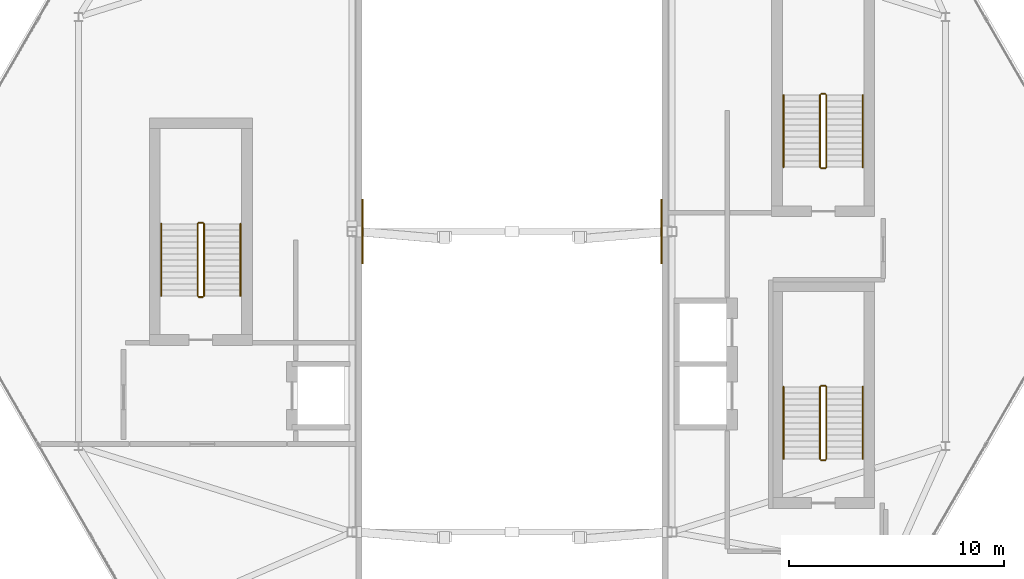
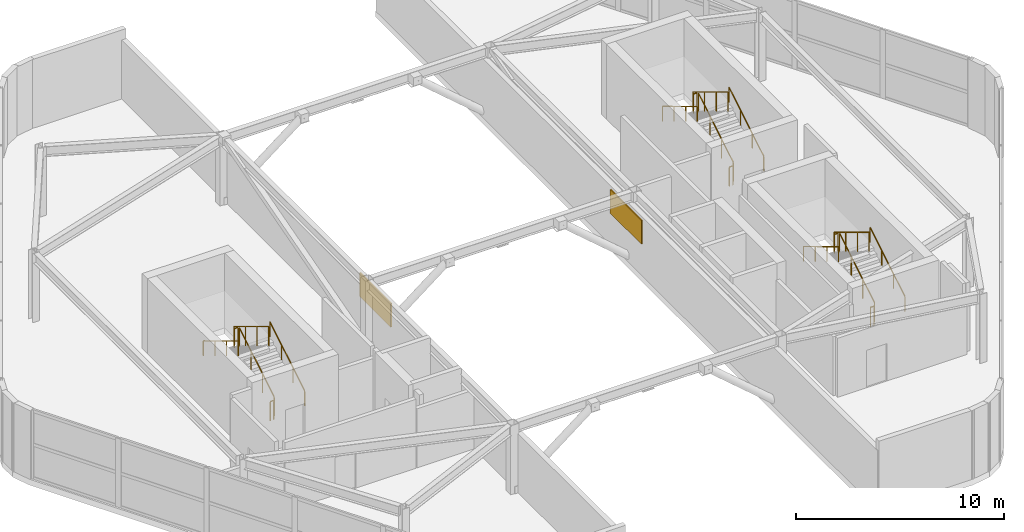
# One storey, part 16 of 16: 18 railings, 2 shading devices.
"""IFC4 building model written with IfcOpenShell, lengths in metres."""

from ifc_helpers import new_model, si_unit, direction, frame, origin, origin_2d, place, context, subcontext, project, spatial, rectangle, extrude, material, layer, layer_set, type_object, element, save


model = new_model("IFC4")

# Units and contexts
model_context = context("Model", 3, precision=1e-05, world=origin(), true_north=direction((0.0, 1.0)))
body_context = subcontext(model_context, "Body", "Model", "MODEL_VIEW")
ifc_project = project(units=[si_unit("LENGTHUNIT", "METRE"), si_unit("AREAUNIT", "SQUARE_METRE"), si_unit("VOLUMEUNIT", "CUBIC_METRE"), si_unit("PLANEANGLEUNIT", "RADIAN"), si_unit("MASSUNIT", "GRAM", prefix="KILO")], contexts=[model_context])

# Site, building, storey
site_placement = place(None, origin())
site = spatial("IfcSite", under=ifc_project, at=site_placement, CompositionType="ELEMENT")
building_placement = place(site_placement, origin())
building = spatial("IfcBuilding", under=site, at=building_placement, Name="Zuhravey Tower", CompositionType="ELEMENT")
storey_placement = place(building_placement, frame((0.0, 0.0, 365.800048828125)))
storey = spatial("IfcBuildingStorey", under=building, at=storey_placement, Name="L93", CompositionType="ELEMENT", Elevation=365.800048828125)

# Shading devices
ifc_material_1 = material(Name="Bronze-anodised perforated aluminium", Category="aluminium")
ifc_layer = layer(ifc_material_1, 0.06005859375)
ifc_layer_set = layer_set([ifc_layer], Name="Bronze-anodised perforated aluminium")
shading_device_type = type_object("IfcShadingDeviceType", Name="Girih Mashrabiya Solar Screen", PredefinedType="USERDEFINED", material=ifc_layer_set)
for number, where, z_axis, x_axis, name in (
    (1, (29.030029296875, 32.0, 1.89990234375), (0.0, 0.0, 1.0), (0.0, 1.0, 0.0), "L93 WEST Wind-Portal Girih Screen SCR1"),
    (2, (42.969970703125, 32.0, 1.89990234375), (0.0, 0.0, 1.0), (0.0, 1.0, 0.0), "L93 EAST Wind-Portal Girih Screen SCR1"),
):
    element("IfcShadingDevice", number, at=place(storey_placement, frame(where, z_axis=z_axis, x_axis=x_axis)), inside=storey, type_object=shading_device_type, Name=name, ObjectType="SCREEN", PredefinedType="USERDEFINED", context=body_context, shape_type="SweptSolid", body=[
        extrude(rectangle(XDim=3.0, YDim=0.06005859375, at=origin_2d()), origin(), (0.0, 0.0, 1.0), 1.39990234375),
    ])

# Railings
ifc_material_2 = material(Name="Brushed stainless steel", Category="steel")
railing_type_1 = type_object("IfcRailingType", Name="Stair Wall Handrail 900", PredefinedType="HANDRAIL", material=ifc_material_2)
railing_1_placement = place(storey_placement, frame((23.35009765625, 29.0, 0.169189453125)))
element("IfcRailing", 3, at=railing_1_placement, inside=storey, type_object=railing_type_1, Name="L93 CST1 stair handrail 1", PredefinedType="HANDRAIL", context=body_context, shape_type="SweptSolid", body=[
    extrude(rectangle(XDim=0.048095703125, YDim=0.048095703125, at=origin_2d()), frame((0.0, 0.001708984375, 0.876953125), z_axis=(0.0, 0.855836976705, 0.517245656632), x_axis=(-1.0, 0.0, 0.0)), (0.0, 0.0, 1.0), 3.922119140625),
    extrude(rectangle(XDim=0.0419921875, YDim=0.0419921875, at=origin_2d()), origin(), (0.0, 0.0, 1.0), 0.849853515625),
    extrude(rectangle(XDim=0.0419921875, YDim=0.0419921875, at=origin_2d()), frame((0.0, 1.1201171875, 0.677001953125)), (0.0, 0.0, 1.0), 0.849853515625),
    extrude(rectangle(XDim=0.0419921875, YDim=0.0419921875, at=origin_2d()), frame((0.0, 2.239990234375, 1.353759765625)), (0.0, 0.0, 1.0), 0.849853515625),
    extrude(rectangle(XDim=0.0419921875, YDim=0.0419921875, at=origin_2d()), frame((0.0, 3.360107421875, 2.03076171875)), (0.0, 0.0, 1.0), 0.849853515625),
])
railing_2_placement = place(storey_placement, frame((19.64990234375, 32.360107421875, 2.369140625)))
element("IfcRailing", 4, at=railing_2_placement, inside=storey, type_object=railing_type_1, Name="L93 CST1 stair handrail 2", PredefinedType="HANDRAIL", context=body_context, shape_type="SweptSolid", body=[
    extrude(rectangle(XDim=0.048095703125, YDim=0.048095703125, at=origin_2d()), frame((0.0, -0.001708984375, 0.876953125), z_axis=(0.0, -0.855836976705, 0.517245656632), x_axis=(1.0, 0.0, 0.0)), (0.0, 0.0, 1.0), 3.922119140625),
    extrude(rectangle(XDim=0.0419921875, YDim=0.0419921875, at=origin_2d()), origin(), (0.0, 0.0, 1.0), 0.849853515625),
    extrude(rectangle(XDim=0.0419921875, YDim=0.0419921875, at=origin_2d()), frame((0.0, -1.1201171875, 0.677001953125)), (0.0, 0.0, 1.0), 0.849853515625),
    extrude(rectangle(XDim=0.0419921875, YDim=0.0419921875, at=origin_2d()), frame((0.0, -2.239990234375, 1.353759765625)), (0.0, 0.0, 1.0), 0.849853515625),
    extrude(rectangle(XDim=0.0419921875, YDim=0.0419921875, at=origin_2d()), frame((0.0, -3.360107421875, 2.03076171875)), (0.0, 0.0, 1.0), 0.849853515625),
])
railing_3_placement = place(storey_placement, frame((52.35009765625, 21.39990234375, 0.169189453125)))
element("IfcRailing", 5, at=railing_3_placement, inside=storey, type_object=railing_type_1, Name="L93 CST2 stair handrail 1", PredefinedType="HANDRAIL", context=body_context, shape_type="SweptSolid", body=[
    extrude(rectangle(XDim=0.048095703125, YDim=0.048095703125, at=origin_2d()), frame((0.0, 0.001708984375, 0.876953125), z_axis=(0.0, 0.855836976705, 0.517245656632), x_axis=(-1.0, 0.0, 0.0)), (0.0, 0.0, 1.0), 3.922119140625),
    extrude(rectangle(XDim=0.0419921875, YDim=0.0419921875, at=origin_2d()), origin(), (0.0, 0.0, 1.0), 0.849853515625),
    extrude(rectangle(XDim=0.0419921875, YDim=0.0419921875, at=origin_2d()), frame((0.0, 1.1201171875, 0.677001953125)), (0.0, 0.0, 1.0), 0.849853515625),
    extrude(rectangle(XDim=0.0419921875, YDim=0.0419921875, at=origin_2d()), frame((0.0, 2.239990234375, 1.353759765625)), (0.0, 0.0, 1.0), 0.849853515625),
    extrude(rectangle(XDim=0.0419921875, YDim=0.0419921875, at=origin_2d()), frame((0.0, 3.360107421875, 2.03076171875)), (0.0, 0.0, 1.0), 0.849853515625),
])
railing_4_placement = place(storey_placement, frame((48.64990234375, 24.760009765625, 2.369140625)))
element("IfcRailing", 6, at=railing_4_placement, inside=storey, type_object=railing_type_1, Name="L93 CST2 stair handrail 2", PredefinedType="HANDRAIL", context=body_context, shape_type="SweptSolid", body=[
    extrude(rectangle(XDim=0.048095703125, YDim=0.048095703125, at=origin_2d()), frame((0.0, -0.001708984375, 0.876953125), z_axis=(0.0, -0.855836976705, 0.517245656632), x_axis=(1.0, 0.0, 0.0)), (0.0, 0.0, 1.0), 3.922119140625),
    extrude(rectangle(XDim=0.0419921875, YDim=0.0419921875, at=origin_2d()), origin(), (0.0, 0.0, 1.0), 0.849853515625),
    extrude(rectangle(XDim=0.0419921875, YDim=0.0419921875, at=origin_2d()), frame((0.0, -1.1201171875, 0.677001953125)), (0.0, 0.0, 1.0), 0.849853515625),
    extrude(rectangle(XDim=0.0419921875, YDim=0.0419921875, at=origin_2d()), frame((0.0, -2.239990234375, 1.353759765625)), (0.0, 0.0, 1.0), 0.849853515625),
    extrude(rectangle(XDim=0.0419921875, YDim=0.0419921875, at=origin_2d()), frame((0.0, -3.360107421875, 2.03076171875)), (0.0, 0.0, 1.0), 0.849853515625),
])
railing_5_placement = place(storey_placement, frame((52.35009765625, 35.0, 0.169189453125)))
element("IfcRailing", 7, at=railing_5_placement, inside=storey, type_object=railing_type_1, Name="L93 CST3 stair handrail 1", PredefinedType="HANDRAIL", context=body_context, shape_type="SweptSolid", body=[
    extrude(rectangle(XDim=0.048095703125, YDim=0.048095703125, at=origin_2d()), frame((0.0, 0.001708984375, 0.876953125), z_axis=(0.0, 0.855836976705, 0.517245656632), x_axis=(-1.0, 0.0, 0.0)), (0.0, 0.0, 1.0), 3.922119140625),
    extrude(rectangle(XDim=0.0419921875, YDim=0.0419921875, at=origin_2d()), origin(), (0.0, 0.0, 1.0), 0.849853515625),
    extrude(rectangle(XDim=0.0419921875, YDim=0.0419921875, at=origin_2d()), frame((0.0, 1.1201171875, 0.677001953125)), (0.0, 0.0, 1.0), 0.849853515625),
    extrude(rectangle(XDim=0.0419921875, YDim=0.0419921875, at=origin_2d()), frame((0.0, 2.239990234375, 1.353759765625)), (0.0, 0.0, 1.0), 0.849853515625),
    extrude(rectangle(XDim=0.0419921875, YDim=0.0419921875, at=origin_2d()), frame((0.0, 3.360107421875, 2.03076171875)), (0.0, 0.0, 1.0), 0.849853515625),
])
railing_6_placement = place(storey_placement, frame((48.64990234375, 38.360107421875, 2.369140625)))
element("IfcRailing", 8, at=railing_6_placement, inside=storey, type_object=railing_type_1, Name="L93 CST3 stair handrail 2", PredefinedType="HANDRAIL", context=body_context, shape_type="SweptSolid", body=[
    extrude(rectangle(XDim=0.048095703125, YDim=0.048095703125, at=origin_2d()), frame((0.0, -0.001708984375, 0.876953125), z_axis=(0.0, -0.855836976705, 0.517245656632), x_axis=(1.0, 0.0, 0.0)), (0.0, 0.0, 1.0), 3.922119140625),
    extrude(rectangle(XDim=0.0419921875, YDim=0.0419921875, at=origin_2d()), origin(), (0.0, 0.0, 1.0), 0.849853515625),
    extrude(rectangle(XDim=0.0419921875, YDim=0.0419921875, at=origin_2d()), frame((0.0, -1.1201171875, 0.677001953125)), (0.0, 0.0, 1.0), 0.849853515625),
    extrude(rectangle(XDim=0.0419921875, YDim=0.0419921875, at=origin_2d()), frame((0.0, -2.239990234375, 1.353759765625)), (0.0, 0.0, 1.0), 0.849853515625),
    extrude(rectangle(XDim=0.0419921875, YDim=0.0419921875, at=origin_2d()), frame((0.0, -3.360107421875, 2.03076171875)), (0.0, 0.0, 1.0), 0.849853515625),
])
ifc_material_3 = material(Name="Painted tubular steel", Category="steel")
railing_type_2 = type_object("IfcRailingType", Name="Stair Well Guardrail 1150", PredefinedType="GUARDRAIL", material=ifc_material_3)
railing_7_placement = place(storey_placement, frame((21.64990234375, 29.0, 0.169189453125)))
element("IfcRailing", 9, at=railing_7_placement, inside=storey, type_object=railing_type_2, Name="L93 CST1 stair guard 1", PredefinedType="GUARDRAIL", context=body_context, shape_type="SweptSolid", body=[
    extrude(rectangle(XDim=0.048095703125, YDim=0.048095703125, at=origin_2d()), frame((0.0, 0.001708984375, 1.126953125), z_axis=(0.0, 0.855836976705, 0.517245656632), x_axis=(-1.0, 0.0, 0.0)), (0.0, 0.0, 1.0), 3.922119140625),
    extrude(rectangle(XDim=0.0419921875, YDim=0.0419921875, at=origin_2d()), origin(), (0.0, 0.0, 1.0), 1.099853515625),
    extrude(rectangle(XDim=0.0419921875, YDim=0.0419921875, at=origin_2d()), frame((0.0, 1.1201171875, 0.677001953125)), (0.0, 0.0, 1.0), 1.099853515625),
    extrude(rectangle(XDim=0.0419921875, YDim=0.0419921875, at=origin_2d()), frame((0.0, 2.239990234375, 1.353759765625)), (0.0, 0.0, 1.0), 1.099853515625),
    extrude(rectangle(XDim=0.0419921875, YDim=0.0419921875, at=origin_2d()), frame((0.0, 3.360107421875, 2.03076171875)), (0.0, 0.0, 1.0), 1.099853515625),
])
railing_8_placement = place(storey_placement, frame((21.60009765625, 32.409912109375, 2.199951171875)))
element("IfcRailing", 10, at=railing_8_placement, inside=storey, type_object=railing_type_2, Name="L93 CST1 stair guard 2", PredefinedType="GUARDRAIL", context=body_context, shape_type="SweptSolid", body=[
    extrude(rectangle(XDim=0.048095703125, YDim=0.048095703125, at=origin_2d()), frame((-0.001953125, 0.0, 1.1259765625), z_axis=(-1.0, 0.0, 0.0), x_axis=(0.0, -1.0, 0.0)), (0.0, 0.0, 1.0), 0.1962890625),
    extrude(rectangle(XDim=0.0419921875, YDim=0.0419921875, at=origin_2d()), origin(), (0.0, 0.0, 1.0), 1.099853515625),
    extrude(rectangle(XDim=0.0419921875, YDim=0.0419921875, at=origin_2d()), frame((-0.2001953125, 0.0, 0.0)), (0.0, 0.0, 1.0), 1.099853515625),
])
railing_9_placement = place(storey_placement, frame((21.35009765625, 32.360107421875, 2.369140625)))
element("IfcRailing", 11, at=railing_9_placement, inside=storey, type_object=railing_type_2, Name="L93 CST1 stair guard 3", PredefinedType="GUARDRAIL", context=body_context, shape_type="SweptSolid", body=[
    extrude(rectangle(XDim=0.048095703125, YDim=0.048095703125, at=origin_2d()), frame((0.0, -0.001708984375, 1.126953125), z_axis=(0.0, -0.855836976705, 0.517245656632), x_axis=(1.0, 0.0, 0.0)), (0.0, 0.0, 1.0), 3.922119140625),
    extrude(rectangle(XDim=0.0419921875, YDim=0.0419921875, at=origin_2d()), origin(), (0.0, 0.0, 1.0), 1.099853515625),
    extrude(rectangle(XDim=0.0419921875, YDim=0.0419921875, at=origin_2d()), frame((0.0, -1.1201171875, 0.677001953125)), (0.0, 0.0, 1.0), 1.099853515625),
    extrude(rectangle(XDim=0.0419921875, YDim=0.0419921875, at=origin_2d()), frame((0.0, -2.239990234375, 1.353759765625)), (0.0, 0.0, 1.0), 1.099853515625),
    extrude(rectangle(XDim=0.0419921875, YDim=0.0419921875, at=origin_2d()), frame((0.0, -3.360107421875, 2.03076171875)), (0.0, 0.0, 1.0), 1.099853515625),
])
railing_10_placement = place(storey_placement, frame((21.60009765625, 28.949951171875, 0.0)))
element("IfcRailing", 12, at=railing_10_placement, inside=storey, type_object=railing_type_2, Name="L93 CST1 stair guard 4", PredefinedType="GUARDRAIL", context=body_context, shape_type="SweptSolid", body=[
    extrude(rectangle(XDim=0.048095703125, YDim=0.048095703125, at=origin_2d()), frame((-0.001953125, 0.0, 1.1259765625), z_axis=(-1.0, 0.0, 0.0), x_axis=(0.0, -1.0, 0.0)), (0.0, 0.0, 1.0), 0.1962890625),
    extrude(rectangle(XDim=0.0419921875, YDim=0.0419921875, at=origin_2d()), origin(), (0.0, 0.0, 1.0), 1.099853515625),
    extrude(rectangle(XDim=0.0419921875, YDim=0.0419921875, at=origin_2d()), frame((-0.2001953125, 0.0, 0.0)), (0.0, 0.0, 1.0), 1.099853515625),
])
railing_11_placement = place(storey_placement, frame((50.64990234375, 21.39990234375, 0.169189453125)))
element("IfcRailing", 13, at=railing_11_placement, inside=storey, type_object=railing_type_2, Name="L93 CST2 stair guard 1", PredefinedType="GUARDRAIL", context=body_context, shape_type="SweptSolid", body=[
    extrude(rectangle(XDim=0.048095703125, YDim=0.048095703125, at=origin_2d()), frame((0.0, 0.001708984375, 1.126953125), z_axis=(0.0, 0.855836976705, 0.517245656632), x_axis=(-1.0, 0.0, 0.0)), (0.0, 0.0, 1.0), 3.922119140625),
    extrude(rectangle(XDim=0.0419921875, YDim=0.0419921875, at=origin_2d()), origin(), (0.0, 0.0, 1.0), 1.099853515625),
    extrude(rectangle(XDim=0.0419921875, YDim=0.0419921875, at=origin_2d()), frame((0.0, 1.1201171875, 0.677001953125)), (0.0, 0.0, 1.0), 1.099853515625),
    extrude(rectangle(XDim=0.0419921875, YDim=0.0419921875, at=origin_2d()), frame((0.0, 2.239990234375, 1.353759765625)), (0.0, 0.0, 1.0), 1.099853515625),
    extrude(rectangle(XDim=0.0419921875, YDim=0.0419921875, at=origin_2d()), frame((0.0, 3.360107421875, 2.03076171875)), (0.0, 0.0, 1.0), 1.099853515625),
])
railing_12_placement = place(storey_placement, frame((50.60009765625, 24.81005859375, 2.199951171875)))
element("IfcRailing", 14, at=railing_12_placement, inside=storey, type_object=railing_type_2, Name="L93 CST2 stair guard 2", PredefinedType="GUARDRAIL", context=body_context, shape_type="SweptSolid", body=[
    extrude(rectangle(XDim=0.048095703125, YDim=0.048095703125, at=origin_2d()), frame((-0.001953125, 0.0, 1.1259765625), z_axis=(-1.0, 0.0, 0.0), x_axis=(0.0, -1.0, 0.0)), (0.0, 0.0, 1.0), 0.1962890625),
    extrude(rectangle(XDim=0.0419921875, YDim=0.0419921875, at=origin_2d()), origin(), (0.0, 0.0, 1.0), 1.099853515625),
    extrude(rectangle(XDim=0.0419921875, YDim=0.0419921875, at=origin_2d()), frame((-0.2001953125, 0.0, 0.0)), (0.0, 0.0, 1.0), 1.099853515625),
])
railing_13_placement = place(storey_placement, frame((50.35009765625, 24.760009765625, 2.369140625)))
element("IfcRailing", 15, at=railing_13_placement, inside=storey, type_object=railing_type_2, Name="L93 CST2 stair guard 3", PredefinedType="GUARDRAIL", context=body_context, shape_type="SweptSolid", body=[
    extrude(rectangle(XDim=0.048095703125, YDim=0.048095703125, at=origin_2d()), frame((0.0, -0.001708984375, 1.126953125), z_axis=(0.0, -0.855836976705, 0.517245656632), x_axis=(1.0, 0.0, 0.0)), (0.0, 0.0, 1.0), 3.922119140625),
    extrude(rectangle(XDim=0.0419921875, YDim=0.0419921875, at=origin_2d()), origin(), (0.0, 0.0, 1.0), 1.099853515625),
    extrude(rectangle(XDim=0.0419921875, YDim=0.0419921875, at=origin_2d()), frame((0.0, -1.1201171875, 0.677001953125)), (0.0, 0.0, 1.0), 1.099853515625),
    extrude(rectangle(XDim=0.0419921875, YDim=0.0419921875, at=origin_2d()), frame((0.0, -2.239990234375, 1.353759765625)), (0.0, 0.0, 1.0), 1.099853515625),
    extrude(rectangle(XDim=0.0419921875, YDim=0.0419921875, at=origin_2d()), frame((0.0, -3.360107421875, 2.03076171875)), (0.0, 0.0, 1.0), 1.099853515625),
])
railing_14_placement = place(storey_placement, frame((50.60009765625, 21.35009765625, 0.0)))
element("IfcRailing", 16, at=railing_14_placement, inside=storey, type_object=railing_type_2, Name="L93 CST2 stair guard 4", PredefinedType="GUARDRAIL", context=body_context, shape_type="SweptSolid", body=[
    extrude(rectangle(XDim=0.048095703125, YDim=0.048095703125, at=origin_2d()), frame((-0.001953125, 0.0, 1.1259765625), z_axis=(-1.0, 0.0, 0.0), x_axis=(0.0, -1.0, 0.0)), (0.0, 0.0, 1.0), 0.1962890625),
    extrude(rectangle(XDim=0.0419921875, YDim=0.0419921875, at=origin_2d()), origin(), (0.0, 0.0, 1.0), 1.099853515625),
    extrude(rectangle(XDim=0.0419921875, YDim=0.0419921875, at=origin_2d()), frame((-0.2001953125, 0.0, 0.0)), (0.0, 0.0, 1.0), 1.099853515625),
])
railing_15_placement = place(storey_placement, frame((50.64990234375, 35.0, 0.169189453125)))
element("IfcRailing", 17, at=railing_15_placement, inside=storey, type_object=railing_type_2, Name="L93 CST3 stair guard 1", PredefinedType="GUARDRAIL", context=body_context, shape_type="SweptSolid", body=[
    extrude(rectangle(XDim=0.048095703125, YDim=0.048095703125, at=origin_2d()), frame((0.0, 0.001708984375, 1.126953125), z_axis=(0.0, 0.855836976705, 0.517245656632), x_axis=(-1.0, 0.0, 0.0)), (0.0, 0.0, 1.0), 3.922119140625),
    extrude(rectangle(XDim=0.0419921875, YDim=0.0419921875, at=origin_2d()), origin(), (0.0, 0.0, 1.0), 1.099853515625),
    extrude(rectangle(XDim=0.0419921875, YDim=0.0419921875, at=origin_2d()), frame((0.0, 1.1201171875, 0.677001953125)), (0.0, 0.0, 1.0), 1.099853515625),
    extrude(rectangle(XDim=0.0419921875, YDim=0.0419921875, at=origin_2d()), frame((0.0, 2.239990234375, 1.353759765625)), (0.0, 0.0, 1.0), 1.099853515625),
    extrude(rectangle(XDim=0.0419921875, YDim=0.0419921875, at=origin_2d()), frame((0.0, 3.360107421875, 2.03076171875)), (0.0, 0.0, 1.0), 1.099853515625),
])
railing_16_placement = place(storey_placement, frame((50.60009765625, 38.409912109375, 2.199951171875)))
element("IfcRailing", 18, at=railing_16_placement, inside=storey, type_object=railing_type_2, Name="L93 CST3 stair guard 2", PredefinedType="GUARDRAIL", context=body_context, shape_type="SweptSolid", body=[
    extrude(rectangle(XDim=0.048095703125, YDim=0.048095703125, at=origin_2d()), frame((-0.001953125, 0.0, 1.1259765625), z_axis=(-1.0, 0.0, 0.0), x_axis=(0.0, -1.0, 0.0)), (0.0, 0.0, 1.0), 0.1962890625),
    extrude(rectangle(XDim=0.0419921875, YDim=0.0419921875, at=origin_2d()), origin(), (0.0, 0.0, 1.0), 1.099853515625),
    extrude(rectangle(XDim=0.0419921875, YDim=0.0419921875, at=origin_2d()), frame((-0.2001953125, 0.0, 0.0)), (0.0, 0.0, 1.0), 1.099853515625),
])
railing_17_placement = place(storey_placement, frame((50.35009765625, 38.360107421875, 2.369140625)))
element("IfcRailing", 19, at=railing_17_placement, inside=storey, type_object=railing_type_2, Name="L93 CST3 stair guard 3", PredefinedType="GUARDRAIL", context=body_context, shape_type="SweptSolid", body=[
    extrude(rectangle(XDim=0.048095703125, YDim=0.048095703125, at=origin_2d()), frame((0.0, -0.001708984375, 1.126953125), z_axis=(0.0, -0.855836976705, 0.517245656632), x_axis=(1.0, 0.0, 0.0)), (0.0, 0.0, 1.0), 3.922119140625),
    extrude(rectangle(XDim=0.0419921875, YDim=0.0419921875, at=origin_2d()), origin(), (0.0, 0.0, 1.0), 1.099853515625),
    extrude(rectangle(XDim=0.0419921875, YDim=0.0419921875, at=origin_2d()), frame((0.0, -1.1201171875, 0.677001953125)), (0.0, 0.0, 1.0), 1.099853515625),
    extrude(rectangle(XDim=0.0419921875, YDim=0.0419921875, at=origin_2d()), frame((0.0, -2.239990234375, 1.353759765625)), (0.0, 0.0, 1.0), 1.099853515625),
    extrude(rectangle(XDim=0.0419921875, YDim=0.0419921875, at=origin_2d()), frame((0.0, -3.360107421875, 2.03076171875)), (0.0, 0.0, 1.0), 1.099853515625),
])
railing_18_placement = place(storey_placement, frame((50.60009765625, 34.949951171875, 0.0)))
element("IfcRailing", 20, at=railing_18_placement, inside=storey, type_object=railing_type_2, Name="L93 CST3 stair guard 4", PredefinedType="GUARDRAIL", context=body_context, shape_type="SweptSolid", body=[
    extrude(rectangle(XDim=0.048095703125, YDim=0.048095703125, at=origin_2d()), frame((-0.001953125, 0.0, 1.1259765625), z_axis=(-1.0, 0.0, 0.0), x_axis=(0.0, -1.0, 0.0)), (0.0, 0.0, 1.0), 0.1962890625),
    extrude(rectangle(XDim=0.0419921875, YDim=0.0419921875, at=origin_2d()), origin(), (0.0, 0.0, 1.0), 1.099853515625),
    extrude(rectangle(XDim=0.0419921875, YDim=0.0419921875, at=origin_2d()), frame((-0.2001953125, 0.0, 0.0)), (0.0, 0.0, 1.0), 1.099853515625),
])

save(model, "model.ifc")
